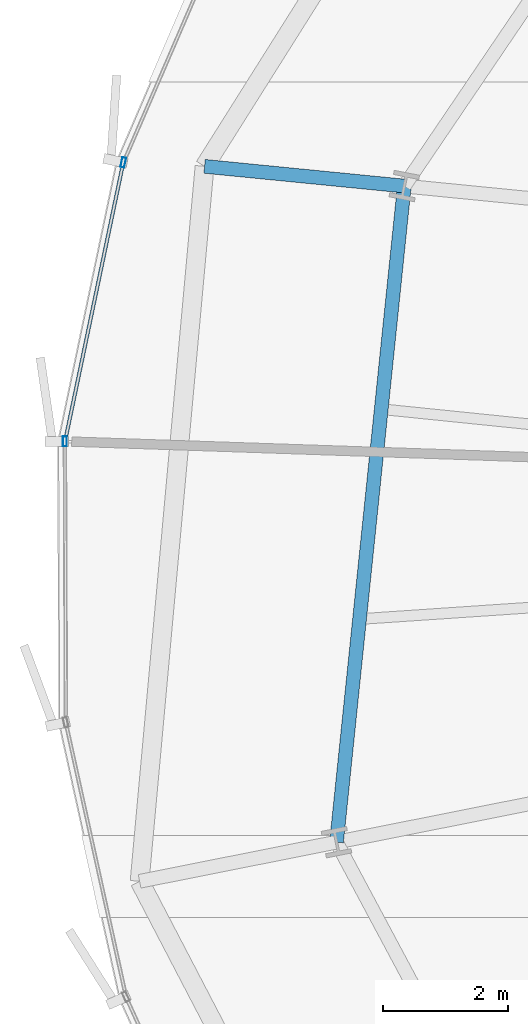
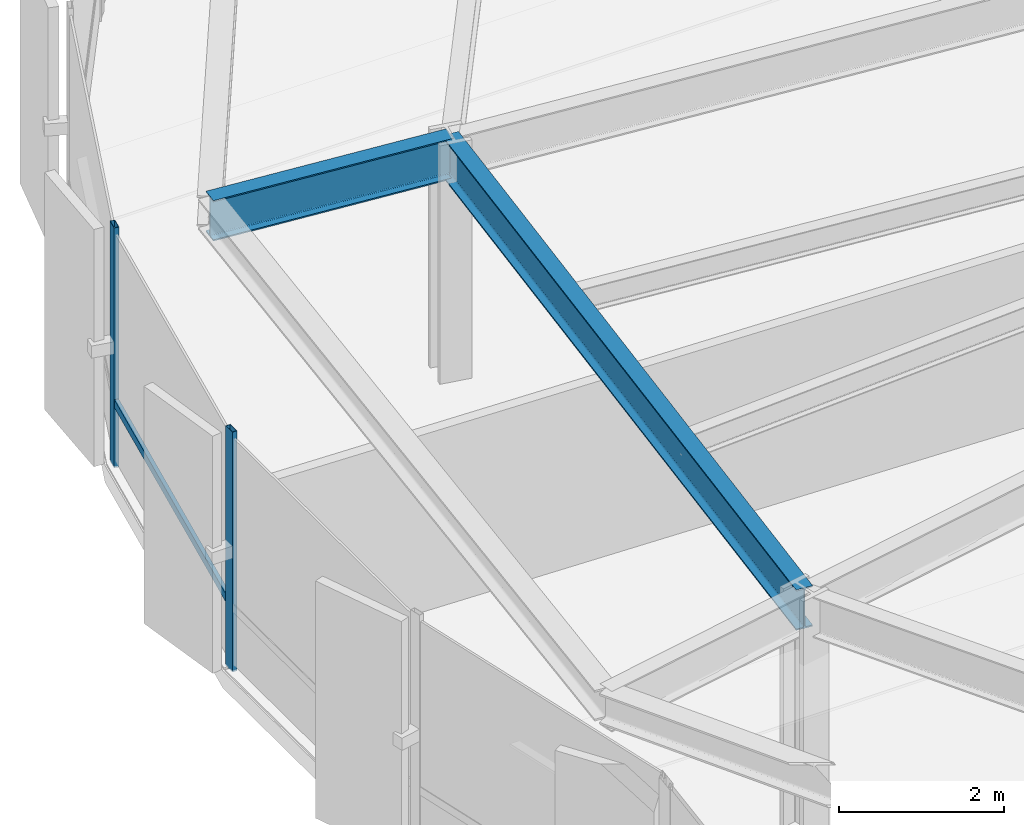
# One storey, part 9 of 37: 3 members, 2 beams, 1 element without a shape of its own.
"""IFC4 building model written with IfcOpenShell, lengths in metres."""

from ifc_helpers import new_model, si_unit, direction, frame, origin, origin_2d, place, context, subcontext, project, spatial, hollow_rectangle, i_section, extrude, source, transform, mapped, material, layer, layer_set, material_profile, profile_set, type_object, element, aggregate, save


model = new_model("IFC4")

# Units and contexts
model_context = context("Model", 3, precision=1e-05, world=origin(), true_north=direction((0.0, 1.0)))
body_context = subcontext(model_context, "Body", "Model", "MODEL_VIEW")
ifc_project = project(units=[si_unit("LENGTHUNIT", "METRE"), si_unit("AREAUNIT", "SQUARE_METRE"), si_unit("VOLUMEUNIT", "CUBIC_METRE"), si_unit("PLANEANGLEUNIT", "RADIAN"), si_unit("MASSUNIT", "GRAM", prefix="KILO"), si_unit("THERMODYNAMICTEMPERATUREUNIT", "KELVIN")], contexts=[model_context])

# Site, building, storey
site_placement = place(None, origin())
site = spatial("IfcSite", under=ifc_project, at=site_placement, CompositionType="ELEMENT")
building_placement = place(site_placement, origin())
building = spatial("IfcBuilding", under=site, at=building_placement, Name="Kethvar Cultural Tower", CompositionType="ELEMENT")
storey_placement = place(building_placement, frame((0.0, 0.0, 56.199951171875)))
storey = spatial("IfcBuildingStorey", under=building, at=storey_placement, Name="L13", CompositionType="ELEMENT", Elevation=56.199951171875)

# Beams
ifc_material_1 = material(Name="Steel S355J2", Category="steel")
ifc_material_profile_1 = material_profile(ifc_material_1, i_section(OverallWidth=0.219970703125, OverallDepth=0.60009765625, WebThickness=0.011962890625, FlangeThickness=0.01904296875, FilletRadius=0.02392578125, at=origin_2d()), Name="Steel S355J2 — IPE600")
ifc_profile_set_1 = profile_set([ifc_material_profile_1], Name="Steel S355J2 — IPE600")
beam_type = type_object("IfcBeamType", Name="BM-IPE600", PredefinedType="BEAM", material=ifc_profile_set_1)
shared_shape_1 = source(origin(), body_context, "Body", "SweptSolid", [
    extrude(i_section(OverallWidth=0.219970703125, OverallDepth=0.60009765625, WebThickness=0.011962890625, FlangeThickness=0.01904296875, FilletRadius=0.02392578125, at=origin_2d()), origin(), (0.0, 0.0, 1.0), 3.199951171875),
])
beam_1_placement = place(storey_placement, frame((21.047119140625, 32.922607421875, 3.248046875), z_axis=(-0.995167757846, 0.098189275096, 0.0), x_axis=(-0.098189275096, -0.995167757846, 0.0)))
element("IfcBeam", 1, at=beam_1_placement, inside=storey, type_object=beam_type, Name="L13 Perimeter Cantilever Beam RC-08", PredefinedType="BEAM", context=body_context, shape_type="MappedRepresentation", body=[
    mapped(shared_shape_1, transform((0.0, 0.0, 0.0), scale=1.0)),
])
shared_shape_2 = source(origin(), body_context, "Body", "SweptSolid", [
    extrude(i_section(OverallWidth=0.219970703125, OverallDepth=0.60009765625, WebThickness=0.011962890625, FlangeThickness=0.01904296875, FilletRadius=0.02392578125, at=origin_2d()), origin(), (0.0, 0.0, 1.0), 10.515869140625),
])
beam_2_placement = place(storey_placement, frame((21.047119140625, 32.922607421875, 3.248046875), z_axis=(-0.102824694973, -0.994699493367, 0.0), x_axis=(0.994699493367, -0.102824694973, 0.0)))
element("IfcBeam", 2, at=beam_2_placement, inside=storey, type_object=beam_type, Name="L13 Column Ring Tie Beam CR-08", PredefinedType="BEAM", context=body_context, shape_type="MappedRepresentation", body=[
    mapped(shared_shape_2, transform((0.0, 0.0, 0.0), scale=1.0)),
])

# Curtain wall, members
ifc_material_2 = material(Name="Aluminium 6063-T6", Category="aluminium")
ifc_layer = layer(ifc_material_2, 0.179931640625, Name="Aluminium 6063-T6", Category="aluminium")
ifc_layer_set = layer_set([ifc_layer], Name="Aluminium 6063-T6 (180 mm)")
curtain_wall_type = type_object("IfcCurtainWallType", Name="CW-SYS-02-Z1", PredefinedType="NOTDEFINED", material=ifc_layer_set)
curtain_wall_placement = place(storey_placement, origin())
curtain_wall = element("IfcCurtainWall", 3, at=curtain_wall_placement, inside=storey, type_object=curtain_wall_type, Name="L13 Curtain Wall Run 04", PredefinedType="NOTDEFINED")
ifc_material_profile_2 = material_profile(ifc_material_2, hollow_rectangle(XDim=0.06494140625, YDim=0.159912109375, WallThickness=0.0048828125, at=origin_2d()), Name="Aluminium 6063-T6 — RHS160x65x5")
ifc_profile_set_2 = profile_set([ifc_material_profile_2], Name="Aluminium 6063-T6 — RHS160x65x5")
member_type_1 = type_object("IfcMemberType", Name="CW-SYS-02-Z1-MUL", PredefinedType="MULLION", material=ifc_profile_set_2)
shared_shape_3 = source(origin(), body_context, "Body", "SweptSolid", [
    extrude(hollow_rectangle(XDim=0.06494140625, YDim=0.159912109375, WallThickness=0.0048828125, at=origin_2d()), origin(), (0.0, 0.0, 1.0), 3.550048828125),
])
member_1_placement = place(storey_placement, frame((16.567138671875, 33.298583984375, 0.0), z_axis=(0.0, 0.0, 1.0), x_axis=(0.978867388762, -0.204496051842, 0.0)))
member_1 = element("IfcMember", 4, at=member_1_placement, type_object=member_type_1, Name="CW-L13-R04 Mullion 3", PredefinedType="MULLION", context=body_context, shape_type="MappedRepresentation", body=[
    mapped(shared_shape_3, transform((0.0, 0.0, 0.0), scale=1.0)),
])
member_2_placement = place(storey_placement, frame((15.635498046875, 28.851806640625, 0.0), z_axis=(0.0, 0.0, 1.0), x_axis=(0.999993473731, 0.003612823692, 0.0)))
member_2 = element("IfcMember", 5, at=member_2_placement, type_object=member_type_1, Name="CW-L13-R04 Mullion 4", PredefinedType="MULLION", context=body_context, shape_type="MappedRepresentation", body=[
    mapped(shared_shape_3, transform((0.0, 0.0, 0.0), scale=1.0)),
])
ifc_material_profile_3 = material_profile(ifc_material_2, hollow_rectangle(XDim=0.054931640625, YDim=0.1201171875, WallThickness=0.00390625, at=origin_2d()), Name="Aluminium 6063-T6 — RHS120x55x4")
ifc_profile_set_3 = profile_set([ifc_material_profile_3], Name="Aluminium 6063-T6 — RHS120x55x4")
member_type_2 = type_object("IfcMemberType", Name="CW-SYS-02-Z1-TRN", PredefinedType="USERDEFINED", material=ifc_profile_set_3)
shared_shape_4 = source(origin(), body_context, "Body", "SweptSolid", [
    extrude(hollow_rectangle(XDim=0.054931640625, YDim=0.1201171875, WallThickness=0.00390625, at=origin_2d()), origin(), (0.0, 0.0, 1.0), 4.474365234375),
])
member_3_placement = place(storey_placement, frame((16.5576171875, 33.252685546875, 0.949951171875), z_axis=(-0.20450330511, -0.978865873447, 0.0), x_axis=(0.978865873447, -0.20450330511, 0.0)))
member_3 = element("IfcMember", 6, at=member_3_placement, type_object=member_type_2, Name="CW-L13-R04 Transom 3", ObjectType="TRANSOM", PredefinedType="USERDEFINED", context=body_context, shape_type="MappedRepresentation", body=[
    mapped(shared_shape_4, transform((0.0, 0.0, 0.0), scale=1.0)),
])
aggregate(curtain_wall, [member_1, member_2, member_3])

save(model, "model.ifc")
